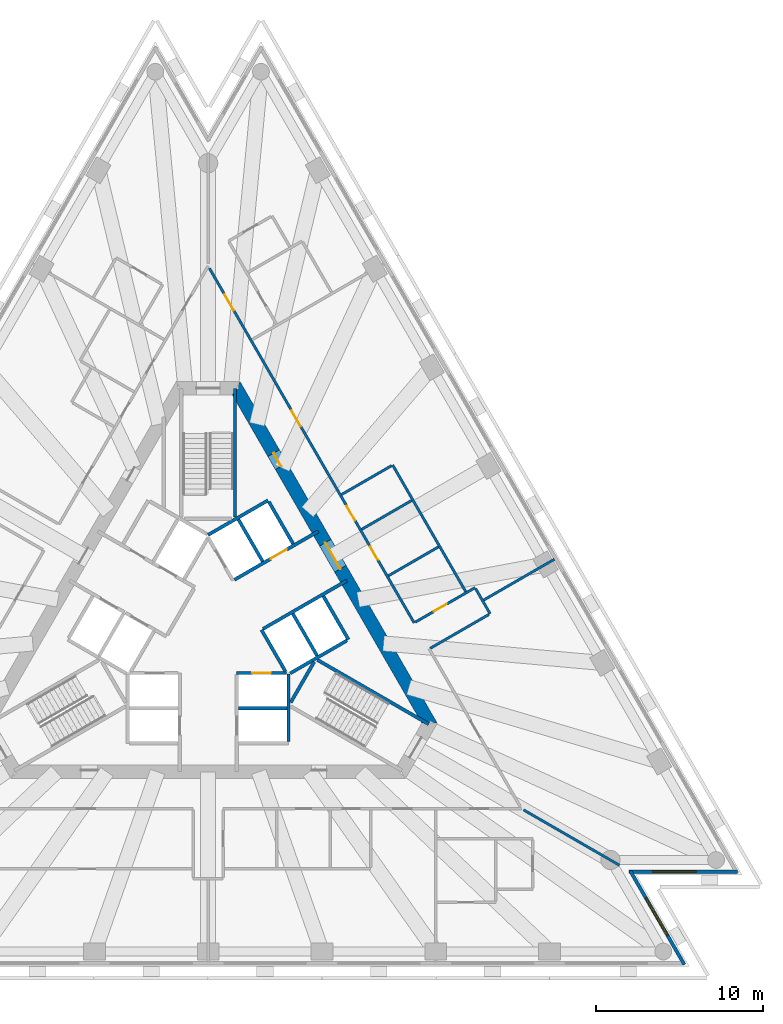
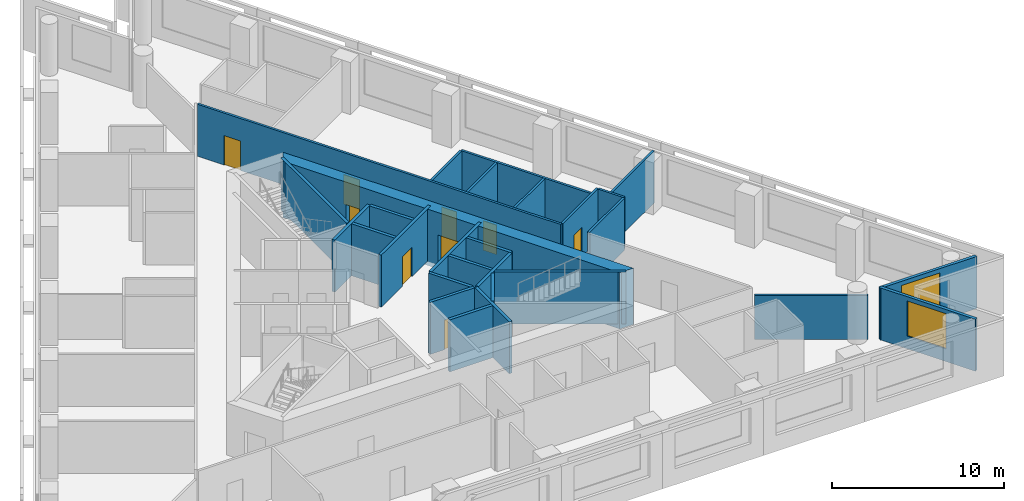
# One storey, part 5 of 9: 28 walls, 9 doors, 2 windows, 11 openings.
"""IFC4 building model written with IfcOpenShell, lengths in metres."""

from ifc_helpers import new_model, si_unit, direction, frame, frame_2d, origin, place, context, subcontext, project, spatial, polyline, rectangle, outline, extrude, material, layer, layer_set, layer_usage, type_object, element, fill, save


model = new_model("IFC4")

# Units and contexts
model_context = context("Model", 3, precision=1e-05, world=origin(), true_north=direction((0.0, 1.0)))
body_context = subcontext(model_context, "Body", "Model", "MODEL_VIEW")
ifc_project = project(units=[si_unit("LENGTHUNIT", "METRE"), si_unit("AREAUNIT", "SQUARE_METRE"), si_unit("VOLUMEUNIT", "CUBIC_METRE"), si_unit("PLANEANGLEUNIT", "RADIAN"), si_unit("MASSUNIT", "GRAM", prefix="KILO")], contexts=[model_context])

# Site, building, storey
site_placement = place(None, origin())
site = spatial("IfcSite", under=ifc_project, at=site_placement, CompositionType="ELEMENT")
building_placement = place(site_placement, origin())
building = spatial("IfcBuilding", under=site, at=building_placement, Name="Triada Interchange Tower", CompositionType="ELEMENT")
storey_placement = place(building_placement, frame((0.0, 0.0, 132.300048828125)))
storey = spatial("IfcBuildingStorey", under=building, at=storey_placement, Name="L30", CompositionType="ELEMENT", Elevation=132.300048828125)

# Wall
ifc_material_1 = material(Name="Concrete C30/37", Category="concrete")
ifc_layer_1 = layer(ifc_material_1, 0.199951171875)
ifc_layer_set_1 = layer_set([ifc_layer_1], Name="CORE WALL 200 EI 120")
wall_type_1 = type_object("IfcWallType", Name="CORE WALL 200 EI 120", PredefinedType="SOLIDWALL", material=ifc_layer_set_1)
wall_1_placement = place(storey_placement, frame((1.800048828125, -4.800048828125, 0.0), z_axis=(0.0, 0.0, 1.0), x_axis=(1.0, 0.0, 0.0)))
element("IfcWall", 1, at=wall_1_placement, inside=storey, type_object=wall_type_1, Name="Wall L29 60", PredefinedType="SOLIDWALL", context=body_context, shape_type="SweptSolid", body=[
    extrude(rectangle(XDim=2.89990234375, YDim=0.199951171875, at=frame_2d((1.449951171875, 0.0))), origin(), (0.0, 0.0, 1.0), 3.699951171875),
])

# Wall, opening, door
wall_2_placement = place(storey_placement, frame((1.702880859375, -2.699951171875, 0.0), z_axis=(0.0, 0.0, 1.0), x_axis=(1.0, 0.0, 0.0)))
wall_2 = element("IfcWall", 2, at=wall_2_placement, inside=storey, type_object=wall_type_1, Name="Wall L29 63", PredefinedType="SOLIDWALL", context=body_context, shape_type="SweptSolid", body=[
    extrude(rectangle(XDim=2.97314453125, YDim=0.199951171875, at=frame_2d((1.486572265625, 0.0))), origin(), (0.0, 0.0, 1.0), 3.699951171875),
])
opening_1_placement = place(wall_2_placement, frame((0.93603515625, 0.0, 0.0)))
opening_1 = element("IfcOpeningElement", 3, at=opening_1_placement, cuts=wall_2, Name="Opening LD-LR1", PredefinedType="OPENING", context=body_context, shape_type="SweptSolid", body=[
    extrude(rectangle(XDim=1.10009765625, YDim=2.10009765625, at=frame_2d((0.550048828125, 1.050048828125))), frame((0.0, 0.10986328125, 0.0), z_axis=(0.0, -1.0, 0.0), x_axis=(1.0, 0.0, 0.0)), (0.0, 0.0, 1.0), 0.219970703125),
])
ifc_material_2 = material(Name="Steel S235 door leaf", Category="steel")
door_type_1 = type_object("IfcDoorType", Name="LIFT LANDING DOOR 1100 EI 120", OperationType="SLIDING_TO_LEFT", PredefinedType="DOOR", material=ifc_material_2)
door_1_placement = place(opening_1_placement, origin())
door_1 = element("IfcDoor", 4, at=door_1_placement, inside=storey, type_object=door_type_1, Name="LR1 landing door L30", OperationType="SLIDING_TO_LEFT", OverallHeight=2.10009765625, OverallWidth=1.10009765625, PredefinedType="DOOR", context=body_context, shape_type="SweptSolid", body=[
    extrude(rectangle(XDim=1.10009765625, YDim=2.10009765625, at=frame_2d((0.550048828125, 1.050048828125))), frame((0.0, 0.02490234375, 0.0), z_axis=(0.0, -1.0, 0.0), x_axis=(1.0, 0.0, 0.0)), (0.0, 0.0, 1.0), 0.050048828125),
])
fill(opening_1, door_1)

# Walls
wall_3_placement = place(storey_placement, frame((-0.001953125, 5.5419921875, 0.0), z_axis=(0.0, 0.0, 1.0), x_axis=(0.866103910842, 0.499863997127, 0.0)))
element("IfcWall", 5, at=wall_3_placement, inside=storey, type_object=wall_type_1, Name="Wall L29 64", PredefinedType="SOLIDWALL", context=body_context, shape_type="SweptSolid", body=[
    extrude(rectangle(XDim=4.131103515625, YDim=0.199951171875, at=frame_2d((2.0654296875, 0.0))), origin(), (0.0, 0.0, 1.0), 3.699951171875),
])
wall_4_placement = place(storey_placement, frame((3.18994140625, -0.125, 0.0), z_axis=(0.0, 0.0, 1.0), x_axis=(0.499988658015, -0.866031951983, 0.0)))
element("IfcWall", 6, at=wall_4_placement, inside=storey, type_object=wall_type_1, Name="Wall L29 66", PredefinedType="SOLIDWALL", context=body_context, shape_type="SweptSolid", body=[
    extrude(rectangle(XDim=2.85791015625, YDim=0.199951171875, at=frame_2d((1.428955078125, 0.0))), origin(), (0.0, 0.0, 1.0), 3.699951171875),
])

# Wall, opening, door
wall_5_placement = place(storey_placement, frame((1.576904296875, 2.8740234375, 0.0), z_axis=(0.0, 0.0, 1.0), x_axis=(0.866073694534, 0.499916348638, 0.0)))
wall_5 = element("IfcWall", 7, at=wall_5_placement, inside=storey, type_object=wall_type_1, Name="Wall L29 67", PredefinedType="SOLIDWALL", context=body_context, shape_type="SweptSolid", body=[
    extrude(rectangle(XDim=5.77685546875, YDim=0.199951171875, at=frame_2d((2.888427734375, 0.0))), origin(), (0.0, 0.0, 1.0), 3.699951171875),
])
opening_2_placement = place(wall_5_placement, frame((2.4970703125, 0.0, 0.0)))
opening_2 = element("IfcOpeningElement", 8, at=opening_2_placement, cuts=wall_5, Name="Opening LD-LR6", PredefinedType="OPENING", context=body_context, shape_type="SweptSolid", body=[
    extrude(rectangle(XDim=1.10009765625, YDim=2.10009765625, at=frame_2d((0.550048828125, 1.050048828125))), frame((0.0, 0.10986328125, 0.0), z_axis=(0.0, -1.0, 0.0), x_axis=(1.0, 0.0, 0.0)), (0.0, 0.0, 1.0), 0.219970703125),
])
door_2_placement = place(opening_2_placement, origin())
door_2 = element("IfcDoor", 9, at=door_2_placement, inside=storey, type_object=door_type_1, Name="LR6 landing door L30", OperationType="SLIDING_TO_LEFT", OverallHeight=2.10009765625, OverallWidth=1.10009765625, PredefinedType="DOOR", context=body_context, shape_type="SweptSolid", body=[
    extrude(rectangle(XDim=1.10009765625, YDim=2.10009765625, at=frame_2d((0.550048828125, 1.050048828125))), frame((0.0, 0.02490234375, 0.0), z_axis=(0.0, -1.0, 0.0), x_axis=(1.0, 0.0, 0.0)), (0.0, 0.0, 1.0), 0.050048828125),
])
fill(opening_2, door_2)

# Walls
wall_6_placement = place(storey_placement, frame((4.800048828125, -6.800048828125, 0.0), z_axis=(0.0, 0.0, 1.0), x_axis=(0.0, 1.0, 0.0)))
element("IfcWall", 10, at=wall_6_placement, inside=storey, type_object=wall_type_1, Name="Wall L29 69", PredefinedType="SOLIDWALL", context=body_context, shape_type="SweptSolid", body=[
    extrude(rectangle(XDim=4.029052734375, YDim=0.199951171875, at=frame_2d((2.0146484375, 0.0))), origin(), (0.0, 0.0, 1.0), 3.699951171875),
])
wall_7_placement = place(storey_placement, frame((3.6259765625, 7.52001953125, 0.0), z_axis=(0.0, 0.0, 1.0), x_axis=(0.500060147554, -0.865990674793, 0.0)))
element("IfcWall", 11, at=wall_7_placement, inside=storey, type_object=wall_type_1, Name="Wall L29 70", PredefinedType="SOLIDWALL", context=body_context, shape_type="SweptSolid", body=[
    extrude(rectangle(XDim=2.899658203125, YDim=0.199951171875, at=frame_2d((1.44970703125, 0.0))), origin(), (0.0, 0.0, 1.0), 3.699951171875),
])
wall_8_placement = place(storey_placement, frame((6.8759765625, 1.89111328125, 0.0), z_axis=(0.0, 0.0, 1.0), x_axis=(0.499990139034, -0.866031096941, 0.0)))
element("IfcWall", 12, at=wall_8_placement, inside=storey, type_object=wall_type_1, Name="Wall L29 71", PredefinedType="SOLIDWALL", context=body_context, shape_type="SweptSolid", body=[
    extrude(rectangle(XDim=3.0, YDim=0.199951171875, at=frame_2d((1.5, 0.0))), origin(), (0.0, 0.0, 1.0), 3.699951171875),
])
for number, where, z_axis, x_axis, name in (
    (13, (1.806884765625, 6.469970703125, 0.0), (0.0, 0.0, 1.0), (0.50012328804, -0.865954211699, 0.0), "Wall L29 72"),
    (14, (5.056884765625, 0.841064453125, 0.0), (0.0, 0.0, 1.0), (0.50012328804, -0.865954211699, 0.0), "Wall L29 73"),
):
    element("IfcWall", number, at=place(storey_placement, frame(where, z_axis=z_axis, x_axis=x_axis)), inside=storey, type_object=wall_type_1, Name=name, PredefinedType="SOLIDWALL", context=body_context, shape_type="SweptSolid", body=[
        extrude(rectangle(XDim=2.899658203125, YDim=0.199951171875, at=frame_2d((1.44970703125, 0.0))), origin(), (0.0, 0.0, 1.0), 3.699951171875),
    ])
wall_9_placement = place(storey_placement, frame((3.278076171875, -0.071044921875, 0.0), z_axis=(0.0, 0.0, 1.0), x_axis=(0.865929348003, 0.5001663366, 0.0)))
element("IfcWall", 15, at=wall_9_placement, inside=storey, type_object=wall_type_1, Name="Wall L29 74", PredefinedType="SOLIDWALL", context=body_context, shape_type="SweptSolid", body=[
    extrude(rectangle(XDim=5.7763671875, YDim=0.199951171875, at=frame_2d((2.88818359375, 0.0))), origin(), (0.0, 0.0, 1.0), 3.699951171875),
])
wall_10_placement = place(storey_placement, frame((4.89990234375, -2.714111328125, 0.0), z_axis=(0.0, 0.0, 1.0), x_axis=(0.865992350556, 0.500057245502, 0.0)))
element("IfcWall", 16, at=wall_10_placement, inside=storey, type_object=wall_type_1, Name="Wall L29 75", PredefinedType="SOLIDWALL", context=body_context, shape_type="SweptSolid", body=[
    extrude(rectangle(XDim=3.91357421875, YDim=0.199951171875, at=frame_2d((1.956787109375, 0.0))), origin(), (0.0, 0.0, 1.0), 3.699951171875),
])
ifc_layer_2 = layer(ifc_material_1, 0.199951171875)
ifc_layer_set_2 = layer_set([ifc_layer_2], Name="CORE WALL 200 REI 240")
wall_type_2 = type_object("IfcWallType", Name="CORE WALL 200 REI 240", PredefinedType="SOLIDWALL", material=ifc_layer_set_2)
wall_11_placement = place(storey_placement, frame((1.60009765625, 6.614990234375, 0.0), z_axis=(0.0, 0.0, 1.0), x_axis=(0.0, 1.0, 0.0)))
element("IfcWall", 17, at=wall_11_placement, inside=storey, type_object=wall_type_2, Name="Wall L29 95", PredefinedType="SOLIDWALL", context=body_context, shape_type="SweptSolid", body=[
    extrude(rectangle(XDim=7.6650390625, YDim=0.199951171875, at=frame_2d((3.83251953125, 0.0))), origin(), (0.0, 0.0, 1.0), 3.699951171875),
])
wall_12_placement = place(storey_placement, frame((4.928955078125, -4.4619140625, 0.0), z_axis=(0.0, 0.0, 1.0), x_axis=(0.500200581029, 0.865909567298, 0.0)))
element("IfcWall", 18, at=wall_12_placement, inside=storey, type_object=wall_type_2, Name="Wall L29 99", PredefinedType="SOLIDWALL", context=body_context, shape_type="SweptSolid", body=[
    extrude(rectangle(XDim=2.799072265625, YDim=0.199951171875, at=frame_2d((1.3994140625, 0.0))), origin(), (0.0, 0.0, 1.0), 3.699951171875),
])
wall_13_placement = place(storey_placement, frame((6.529052734375, -1.922119140625, 0.0), z_axis=(0.0, 0.0, 1.0), x_axis=(0.866060938598, -0.499938446846, 0.0)))
element("IfcWall", 19, at=wall_13_placement, inside=storey, type_object=wall_type_2, Name="Wall L29 100", PredefinedType="SOLIDWALL", context=body_context, shape_type="SweptSolid", body=[
    extrude(rectangle(XDim=7.66455078125, YDim=0.199951171875, at=frame_2d((3.832275390625, 0.0))), origin(), (0.0, 0.0, 1.0), 3.699951171875),
])

# Wall, openings, doors
ifc_material_3 = material(Name="Concrete C60/75", Category="concrete")
ifc_layer_3 = layer(ifc_material_3, 0.800048828125)
ifc_layer_set_3 = layer_set([ifc_layer_3], Name="Core wall B 800")
wall_type_3 = type_object("IfcWallType", Name="Core wall B 800", PredefinedType="SHEAR", material=ifc_layer_set_3)
wall_14_placement = place(storey_placement, frame((13.220947265625, -5.699951171875, -0.300048828125), z_axis=(0.0, 0.0, 1.0), x_axis=(-0.499995765644, 0.866027848477, 0.0)))
wall_14 = element("IfcWall", 20, at=wall_14_placement, inside=storey, type_object=wall_type_3, Name="Core wall WB06 L30", PredefinedType="SHEAR", context=body_context, shape_type="SweptSolid", body=[
    extrude(outline(polyline([(-0.23095703125, -0.39990234375), (1.73193359375, -0.39990234375), (3.695068359375, -0.39990234375), (5.657958984375, -0.39990234375), (7.62109375, -0.39990234375), (9.583984375, -0.39990234375), (11.546875, -0.39990234375), (13.510009765625, -0.39990234375), (15.472900390625, -0.39990234375), (17.43603515625, -0.39990234375), (19.39892578125, -0.39990234375), (21.362060546875, -0.39990234375), (23.324951171875, -0.39990234375), (22.863037109375, 0.39990234375), (20.97705078125, 0.39990234375), (19.091064453125, 0.39990234375), (17.205078125, 0.39990234375), (15.319091796875, 0.39990234375), (13.43310546875, 0.39990234375), (11.546875, 0.39990234375), (9.660888671875, 0.39990234375), (7.77490234375, 0.39990234375), (5.888916015625, 0.39990234375), (4.0029296875, 0.39990234375), (2.116943359375, 0.39990234375), (0.23095703125, 0.39990234375), (-0.23095703125, -0.39990234375)])), origin(), (0.0, 0.0, 1.0), 4.0),
])
opening_3_placement = place(wall_14_placement, frame((10.64697265625, 0.0, 0.300048828125)))
opening_3 = element("IfcOpeningElement", 21, at=opening_3_placement, cuts=wall_14, Name="Opening D29-37", PredefinedType="OPENING", context=body_context, shape_type="SweptSolid", body=[
    extrude(rectangle(XDim=1.800048828125, YDim=2.10009765625, at=frame_2d((0.89990234375, 1.050048828125))), frame((0.0, 0.409912109375, 0.0), z_axis=(0.0, -1.0, 0.0), x_axis=(1.0, 0.0, 0.0)), (0.0, 0.0, 1.0), 0.820068359375),
])
opening_4_placement = place(wall_14_placement, frame((17.720947265625, 0.0, 0.300048828125)))
opening_4 = element("IfcOpeningElement", 22, at=opening_4_placement, cuts=wall_14, Name="Opening D29-44", PredefinedType="OPENING", context=body_context, shape_type="SweptSolid", body=[
    extrude(rectangle(XDim=0.89990234375, YDim=2.10009765625, at=frame_2d((0.449951171875, 1.050048828125))), frame((0.0, 0.409912109375, 0.0), z_axis=(0.0, -1.0, 0.0), x_axis=(1.0, 0.0, 0.0)), (0.0, 0.0, 1.0), 0.820068359375),
])
door_type_2 = type_object("IfcDoorType", Name="LOBBY DOOR 1800 EI2 90-C5S200", OperationType="DOUBLE_DOOR_SINGLE_SWING", PredefinedType="DOOR", material=ifc_material_2)
door_3_placement = place(opening_3_placement, origin())
door_3 = element("IfcDoor", 23, at=door_3_placement, inside=storey, type_object=door_type_2, Name="Door D29-37 L30", OperationType="DOUBLE_DOOR_SINGLE_SWING", OverallHeight=2.10009765625, OverallWidth=1.800048828125, PredefinedType="DOOR", context=body_context, shape_type="SweptSolid", body=[
    extrude(rectangle(XDim=1.800048828125, YDim=2.10009765625, at=frame_2d((0.89990234375, 1.050048828125))), frame((0.0, 0.02490234375, 0.0), z_axis=(0.0, -1.0, 0.0), x_axis=(1.0, 0.0, 0.0)), (0.0, 0.0, 1.0), 0.050048828125),
])
fill(opening_3, door_3)
door_type_3 = type_object("IfcDoorType", Name="SERVICE DOOR 900 EI2 45-C5S200", OperationType="NOTDEFINED", PredefinedType="DOOR", material=ifc_material_2)
door_4_placement = place(opening_4_placement, origin())
door_4 = element("IfcDoor", 24, at=door_4_placement, inside=storey, type_object=door_type_3, Name="Door D29-44 L30", OperationType="SINGLE_SWING_RIGHT", OverallHeight=2.10009765625, OverallWidth=0.89990234375, PredefinedType="DOOR", context=body_context, shape_type="SweptSolid", body=[
    extrude(rectangle(XDim=0.89990234375, YDim=2.10009765625, at=frame_2d((0.449951171875, 1.050048828125))), frame((0.0, 0.02490234375, 0.0), z_axis=(0.0, -1.0, 0.0), x_axis=(1.0, 0.0, 0.0)), (0.0, 0.0, 1.0), 0.050048828125),
])
fill(opening_4, door_4)

# Wall, opening, window
ifc_material_4 = material(Name="Cement board")
ifc_layer_4 = layer(ifc_material_4, 0.02001953125, Name="Cement board cladding")
ifc_material_5 = material(Name="Sheathing board")
ifc_layer_5 = layer(ifc_material_5, 0.014892578125, Name="Sheathing board")
ifc_material_6 = material(Name="Mineral wool")
ifc_layer_6 = layer(ifc_material_6, 0.14990234375, Name="Mineral wool between steel studs")
ifc_material_7 = material(Name="Gypsum board")
ifc_layer_7 = layer(ifc_material_7, 0.014892578125, Name="Plasterboard lining")
ifc_layer_set_4 = layer_set([ifc_layer_4, ifc_layer_5, ifc_layer_6, ifc_layer_7], Name="External wall 200")
ifc_layer_usage = layer_usage(ifc_layer_set_4, "AXIS2", "POSITIVE", -0.10009765625)
wall_type_4 = type_object("IfcWallType", Name="External wall 200", PredefinedType="ELEMENTEDWALL", material=ifc_layer_set_4)
wall_15_placement = place(storey_placement, frame((28.43408203125, -20.110107421875, 0.0), z_axis=(0.0, 0.0, 1.0), x_axis=(-0.499975110204, 0.866039773438, 0.0)))
wall_15 = element("IfcWall", 25, at=wall_15_placement, inside=storey, type_object=wall_type_4, material=ifc_layer_usage, Name="External wall L30 SE-1", PredefinedType="ELEMENTEDWALL", context=body_context, shape_type="SweptSolid", body=[
    extrude(rectangle(XDim=6.468505859375, YDim=0.199951171875, at=frame_2d((3.234375, 0.0))), origin(), (0.0, 0.0, 1.0), 3.699951171875),
])
opening_5_placement = place(wall_15_placement, frame((1.989990234375, 0.0, 0.89990234375)))
opening_5 = element("IfcOpeningElement", 26, at=opening_5_placement, cuts=wall_15, Name="Opening WB19", PredefinedType="OPENING", context=body_context, shape_type="SweptSolid", body=[
    extrude(rectangle(XDim=2.60009765625, YDim=2.5, at=frame_2d((1.300048828125, 1.25))), frame((0.0, 0.10986328125, 0.0), z_axis=(0.0, -1.0, 0.0), x_axis=(1.0, 0.0, 0.0)), (0.0, 0.0, 1.0), 0.219970703125),
])
ifc_material_8 = material(Name="Double glazed aluminium window", Category="aluminium")
window_type = type_object("IfcWindowType", Name="Ribbon window B pocket", PartitioningType="SINGLE_PANEL", PredefinedType="WINDOW", material=ifc_material_8)
window_1_placement = place(opening_5_placement, origin())
window_1 = element("IfcWindow", 27, at=window_1_placement, inside=storey, type_object=window_type, Name="Window L30 SE-1 1", OverallHeight=2.5, OverallWidth=2.60009765625, PartitioningType="SINGLE_PANEL", PredefinedType="WINDOW", context=body_context, shape_type="SweptSolid", body=[
    extrude(rectangle(XDim=2.60009765625, YDim=2.5, at=frame_2d((1.300048828125, 1.25))), frame((0.0, 0.030029296875, 0.0), z_axis=(0.0, -1.0, 0.0), x_axis=(1.0, 0.0, 0.0)), (0.0, 0.0, 1.0), 0.06005859375),
])
fill(opening_5, window_1)

wall_16_placement = place(storey_placement, frame((25.14501953125, -14.569091796875, 0.0), z_axis=(0.0, 0.0, 1.0), x_axis=(1.0, 0.0, 0.0)))
wall_16 = element("IfcWall", 28, at=wall_16_placement, inside=storey, type_object=wall_type_4, material=ifc_layer_usage, Name="External wall L30 SE-2", PredefinedType="ELEMENTEDWALL", context=body_context, shape_type="SweptSolid", body=[
    extrude(rectangle(XDim=6.468017578125, YDim=0.199951171875, at=frame_2d((3.23388671875, 0.0))), origin(), (0.0, 0.0, 1.0), 3.699951171875),
])
opening_6_placement = place(wall_16_placement, frame((1.389892578125, 0.0, 0.89990234375)))
opening_6 = element("IfcOpeningElement", 29, at=opening_6_placement, cuts=wall_16, Name="Opening WB20", PredefinedType="OPENING", context=body_context, shape_type="SweptSolid", body=[
    extrude(rectangle(XDim=2.60009765625, YDim=2.5, at=frame_2d((1.300048828125, 1.25))), frame((0.0, 0.10986328125, 0.0), z_axis=(0.0, -1.0, 0.0), x_axis=(1.0, 0.0, 0.0)), (0.0, 0.0, 1.0), 0.219970703125),
])
window_2_placement = place(opening_6_placement, origin())
window_2 = element("IfcWindow", 30, at=window_2_placement, inside=storey, type_object=window_type, Name="Window L30 SE-2 1", OverallHeight=2.5, OverallWidth=2.60009765625, PartitioningType="SINGLE_PANEL", PredefinedType="WINDOW", context=body_context, shape_type="SweptSolid", body=[
    extrude(rectangle(XDim=2.60009765625, YDim=2.5, at=frame_2d((1.300048828125, 1.25))), frame((0.0, 0.030029296875, 0.0), z_axis=(0.0, -1.0, 0.0), x_axis=(1.0, 0.0, 0.0)), (0.0, 0.0, 1.0), 0.06005859375),
])
fill(opening_6, window_2)

# Wall
ifc_material_9 = material(Name="Gypsum board partition")
ifc_layer_8 = layer(ifc_material_9, 0.14990234375)
ifc_layer_set_5 = layer_set([ifc_layer_8], Name="PARTITION 150 EI 180")
wall_type_5 = type_object("IfcWallType", Name="PARTITION 150 EI 180", PredefinedType="PARTITIONING", material=ifc_layer_set_5)
wall_17_placement = place(storey_placement, frame((18.8359375, -10.875, 0.0), z_axis=(0.0, 0.0, 1.0), x_axis=(0.866045319897, -0.499965502695, 0.0)))
element("IfcWall", 31, at=wall_17_placement, inside=storey, type_object=wall_type_5, Name="Wall L29 9", PredefinedType="PARTITIONING", context=body_context, shape_type="SweptSolid", body=[
    extrude(rectangle(XDim=6.6083984375, YDim=0.14990234375, at=frame_2d((3.30419921875, 0.0))), origin(), (0.0, 0.0, 1.0), 3.14990234375),
])

# Wall, openings, doors
wall_18_placement = place(storey_placement, frame((0.075927734375, 21.468017578125, 0.0), z_axis=(0.0, 0.0, 1.0), x_axis=(0.50001203818, -0.866018453426, 0.0)))
wall_18 = element("IfcWall", 32, at=wall_18_placement, inside=storey, type_object=wall_type_5, Name="Wall L29 24", PredefinedType="PARTITIONING", context=body_context, shape_type="SweptSolid", body=[
    extrude(rectangle(XDim=24.44775390625, YDim=0.14990234375, at=frame_2d((12.223876953125, 0.0))), origin(), (0.0, 0.0, 1.0), 3.699951171875),
])
opening_7_placement = place(wall_18_placement, frame((9.798095703125, 0.0, 0.0)))
opening_7 = element("IfcOpeningElement", 33, at=opening_7_placement, cuts=wall_18, Name="Opening D29-22", PredefinedType="OPENING", context=body_context, shape_type="SweptSolid", body=[
    extrude(rectangle(XDim=1.10009765625, YDim=2.10009765625, at=frame_2d((0.550048828125, 1.050048828125))), frame((0.0, 0.0849609375, 0.0), z_axis=(0.0, -1.0, 0.0), x_axis=(1.0, 0.0, 0.0)), (0.0, 0.0, 1.0), 0.169921875),
])
opening_8_placement = place(wall_18_placement, frame((19.197998046875, 0.0, 0.0)))
opening_8 = element("IfcOpeningElement", 34, at=opening_8_placement, cuts=wall_18, Name="Opening D29-24", PredefinedType="OPENING", context=body_context, shape_type="SweptSolid", body=[
    extrude(rectangle(XDim=0.89990234375, YDim=2.10009765625, at=frame_2d((0.449951171875, 1.050048828125))), frame((0.0, 0.0849609375, 0.0), z_axis=(0.0, -1.0, 0.0), x_axis=(1.0, 0.0, 0.0)), (0.0, 0.0, 1.0), 0.169921875),
])
opening_9_placement = place(wall_18_placement, frame((16.39794921875, 0.0, 0.0)))
opening_9 = element("IfcOpeningElement", 35, at=opening_9_placement, cuts=wall_18, Name="Opening D29-25", PredefinedType="OPENING", context=body_context, shape_type="SweptSolid", body=[
    extrude(rectangle(XDim=1.0, YDim=2.10009765625, at=frame_2d((0.5, 1.050048828125))), frame((0.0, 0.0849609375, 0.0), z_axis=(0.0, -1.0, 0.0), x_axis=(1.0, 0.0, 0.0)), (0.0, 0.0, 1.0), 0.169921875),
])
opening_10_placement = place(wall_18_placement, frame((1.81494140625, 0.0, 0.0)))
opening_10 = element("IfcOpeningElement", 36, at=opening_10_placement, cuts=wall_18, Name="Opening D29-26", PredefinedType="OPENING", context=body_context, shape_type="SweptSolid", body=[
    extrude(rectangle(XDim=1.10009765625, YDim=2.10009765625, at=frame_2d((0.550048828125, 1.050048828125))), frame((0.0, 0.0849609375, 0.0), z_axis=(0.0, -1.0, 0.0), x_axis=(1.0, 0.0, 0.0)), (0.0, 0.0, 1.0), 0.169921875),
])
door_type_4 = type_object("IfcDoorType", Name="ROOM DOOR 1000 EI2 90-C5S200", OperationType="NOTDEFINED", PredefinedType="DOOR", material=ifc_material_2)
door_5_placement = place(opening_9_placement, origin())
door_5 = element("IfcDoor", 37, at=door_5_placement, inside=storey, type_object=door_type_4, Name="Door D29-25 L30", OperationType="SINGLE_SWING_LEFT", OverallHeight=2.10009765625, OverallWidth=1.0, PredefinedType="DOOR", context=body_context, shape_type="SweptSolid", body=[
    extrude(rectangle(XDim=1.0, YDim=2.10009765625, at=frame_2d((0.5, 1.050048828125))), frame((0.0, 0.02490234375, 0.0), z_axis=(0.0, -1.0, 0.0), x_axis=(1.0, 0.0, 0.0)), (0.0, 0.0, 1.0), 0.050048828125),
])
fill(opening_9, door_5)
door_type_5 = type_object("IfcDoorType", Name="ROOM DOOR 900 EI2 90-C5S200", OperationType="NOTDEFINED", PredefinedType="DOOR", material=ifc_material_2)
door_6_placement = place(opening_8_placement, origin())
door_6 = element("IfcDoor", 38, at=door_6_placement, inside=storey, type_object=door_type_5, Name="Door D29-24 L30", OperationType="SINGLE_SWING_LEFT", OverallHeight=2.10009765625, OverallWidth=0.89990234375, PredefinedType="DOOR", context=body_context, shape_type="SweptSolid", body=[
    extrude(rectangle(XDim=0.89990234375, YDim=2.10009765625, at=frame_2d((0.449951171875, 1.050048828125))), frame((0.0, 0.02490234375, 0.0), z_axis=(0.0, -1.0, 0.0), x_axis=(1.0, 0.0, 0.0)), (0.0, 0.0, 1.0), 0.050048828125),
])
fill(opening_8, door_6)
door_type_6 = type_object("IfcDoorType", Name="TENANCY ENTRANCE DOOR 1100 EI2 90-C5S200", OperationType="NOTDEFINED", PredefinedType="DOOR", material=ifc_material_2)
door_7_placement = place(opening_7_placement, origin())
door_7 = element("IfcDoor", 39, at=door_7_placement, inside=storey, type_object=door_type_6, Name="Door D29-22 L30", OperationType="SINGLE_SWING_LEFT", OverallHeight=2.10009765625, OverallWidth=1.10009765625, PredefinedType="DOOR", context=body_context, shape_type="SweptSolid", body=[
    extrude(rectangle(XDim=1.10009765625, YDim=2.10009765625, at=frame_2d((0.550048828125, 1.050048828125))), frame((0.0, 0.02490234375, 0.0), z_axis=(0.0, -1.0, 0.0), x_axis=(1.0, 0.0, 0.0)), (0.0, 0.0, 1.0), 0.050048828125),
])
fill(opening_7, door_7)
door_8_placement = place(opening_10_placement, origin())
door_8 = element("IfcDoor", 40, at=door_8_placement, inside=storey, type_object=door_type_6, Name="Door D29-26 L30", OperationType="SINGLE_SWING_LEFT", OverallHeight=2.10009765625, OverallWidth=1.10009765625, PredefinedType="DOOR", context=body_context, shape_type="SweptSolid", body=[
    extrude(rectangle(XDim=1.10009765625, YDim=2.10009765625, at=frame_2d((0.550048828125, 1.050048828125))), frame((0.0, 0.02490234375, 0.0), z_axis=(0.0, -1.0, 0.0), x_axis=(1.0, 0.0, 0.0)), (0.0, 0.0, 1.0), 0.050048828125),
])
fill(opening_10, door_8)

# Walls
wall_19_placement = place(storey_placement, frame((11.01806640625, 9.717041015625, 0.0), z_axis=(0.0, 0.0, 1.0), x_axis=(0.499888770922, -0.866089612399, 0.0)))
element("IfcWall", 41, at=wall_19_placement, inside=storey, type_object=wall_type_5, Name="Wall L29 31", PredefinedType="PARTITIONING", context=body_context, shape_type="SweptSolid", body=[
    extrude(rectangle(XDim=8.7255859375, YDim=0.14990234375, at=frame_2d((4.36279296875, 0.0))), origin(), (0.0, 0.0, 1.0), 3.699951171875),
])
wall_20_placement = place(storey_placement, frame((7.965087890625, 7.9541015625, 0.0), z_axis=(0.0, 0.0, 1.0), x_axis=(0.866044174857, 0.499967486139, 0.0)))
element("IfcWall", 42, at=wall_20_placement, inside=storey, type_object=wall_type_5, Name="Wall L29 32", PredefinedType="PARTITIONING", context=body_context, shape_type="SweptSolid", body=[
    extrude(rectangle(XDim=3.449951171875, YDim=0.14990234375, at=frame_2d((1.72509765625, 0.0))), origin(), (0.0, 0.0, 1.0), 3.699951171875),
])
for number, where, z_axis, x_axis, name in (
    (43, (9.1650390625, 5.8759765625, 0.0), (0.0, 0.0, 1.0), (0.866031223622, 0.49998991961, 0.0), "Wall L29 33"),
    (44, (10.764892578125, 3.10400390625, 0.0), (0.0, 0.0, 1.0), (0.866031223622, 0.49998991961, 0.0), "Wall L29 34"),
):
    element("IfcWall", number, at=place(storey_placement, frame(where, z_axis=z_axis, x_axis=x_axis)), inside=storey, type_object=wall_type_5, Name=name, PredefinedType="PARTITIONING", context=body_context, shape_type="SweptSolid", body=[
        extrude(rectangle(XDim=3.4501953125, YDim=0.14990234375, at=frame_2d((1.72509765625, 0.0))), origin(), (0.0, 0.0, 1.0), 3.699951171875),
    ])

# Wall, opening, door
wall_21_placement = place(storey_placement, frame((12.365966796875, 0.3330078125, 0.0), z_axis=(0.0, 0.0, 1.0), x_axis=(0.865997263264, 0.500048737644, 0.0)))
wall_21 = element("IfcWall", 45, at=wall_21_placement, inside=storey, type_object=wall_type_5, Name="Wall L29 35", PredefinedType="PARTITIONING", context=body_context, shape_type="SweptSolid", body=[
    extrude(rectangle(XDim=4.12353515625, YDim=0.14990234375, at=frame_2d((2.061767578125, 0.0))), origin(), (0.0, 0.0, 1.0), 3.699951171875),
])
opening_11_placement = place(wall_21_placement, frame((1.27392578125, 0.0, 0.0)))
opening_11 = element("IfcOpeningElement", 46, at=opening_11_placement, cuts=wall_21, Name="Opening D29-23", PredefinedType="OPENING", context=body_context, shape_type="SweptSolid", body=[
    extrude(rectangle(XDim=0.89990234375, YDim=2.10009765625, at=frame_2d((0.449951171875, 1.050048828125))), frame((0.0, 0.0849609375, 0.0), z_axis=(0.0, -1.0, 0.0), x_axis=(1.0, 0.0, 0.0)), (0.0, 0.0, 1.0), 0.169921875),
])
door_9_placement = place(opening_11_placement, origin())
door_9 = element("IfcDoor", 47, at=door_9_placement, inside=storey, type_object=door_type_5, Name="Door D29-23 L30", OperationType="SINGLE_SWING_LEFT", OverallHeight=2.10009765625, OverallWidth=0.89990234375, PredefinedType="DOOR", context=body_context, shape_type="SweptSolid", body=[
    extrude(rectangle(XDim=0.89990234375, YDim=2.10009765625, at=frame_2d((0.449951171875, 1.050048828125))), frame((0.0, 0.02490234375, 0.0), z_axis=(0.0, -1.0, 0.0), x_axis=(1.0, 0.0, 0.0)), (0.0, 0.0, 1.0), 0.050048828125),
])
fill(opening_11, door_9)

# Walls
wall_22_placement = place(storey_placement, frame((15.97509765625, 2.3310546875, 0.0), z_axis=(0.0, 0.0, 1.0), x_axis=(0.499640762619, -0.866232710263, 0.0)))
element("IfcWall", 48, at=wall_22_placement, inside=storey, type_object=wall_type_5, Name="Wall L29 37", PredefinedType="PARTITIONING", context=body_context, shape_type="SweptSolid", body=[
    extrude(rectangle(XDim=1.724853515625, YDim=0.14990234375, at=frame_2d((0.8623046875, 0.0))), origin(), (0.0, 0.0, 1.0), 3.699951171875),
])
wall_23_placement = place(storey_placement, frame((16.451904296875, 1.654052734375, 0.0), z_axis=(0.0, 0.0, 1.0), x_axis=(0.866097235509, 0.49987556316, 0.0)))
element("IfcWall", 49, at=wall_23_placement, inside=storey, type_object=wall_type_5, Name="Wall L29 38", PredefinedType="PARTITIONING", context=body_context, shape_type="SweptSolid", body=[
    extrude(rectangle(XDim=4.877197265625, YDim=0.14990234375, at=frame_2d((2.4384765625, 0.0))), origin(), (0.0, 0.0, 1.0), 3.699951171875),
])
wall_24_placement = place(storey_placement, frame((13.26611328125, -1.22509765625, 0.0), z_axis=(0.0, 0.0, 1.0), x_axis=(0.866079163253, 0.499906874306, 0.0)))
element("IfcWall", 50, at=wall_24_placement, inside=storey, type_object=wall_type_5, Name="Wall L29 39", PredefinedType="PARTITIONING", context=body_context, shape_type="SweptSolid", body=[
    extrude(rectangle(XDim=4.049072265625, YDim=0.14990234375, at=frame_2d((2.0244140625, 0.0))), origin(), (0.0, 0.0, 1.0), 3.699951171875),
])

save(model, "model.ifc")
